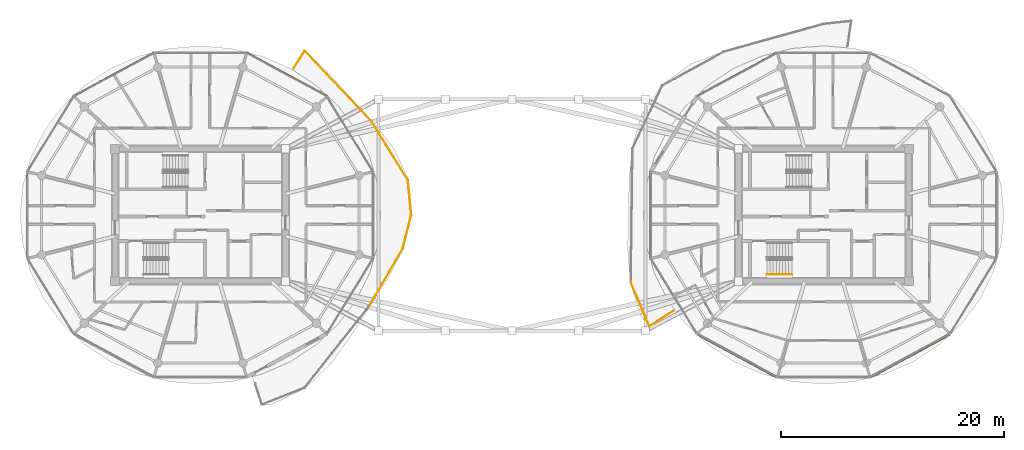
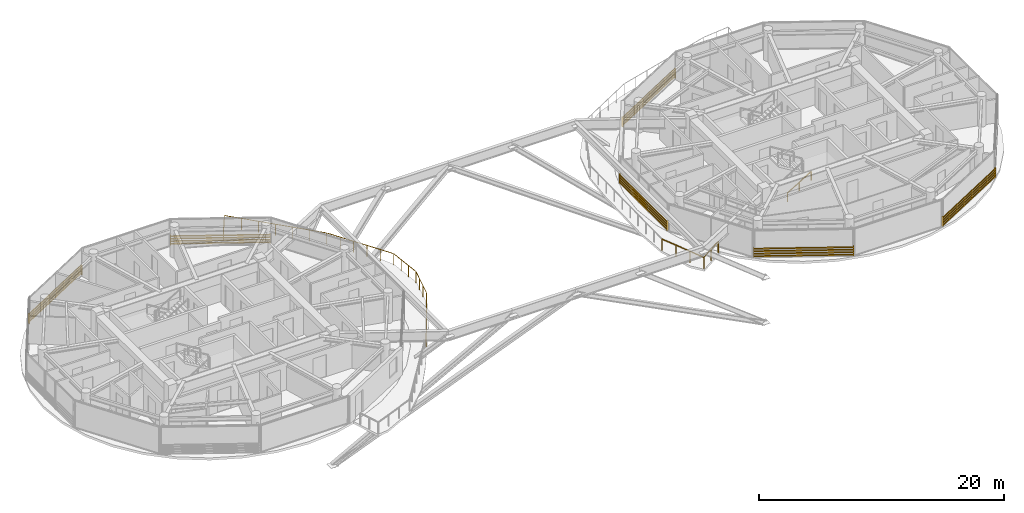
# One storey, part 21 of 23: 6 shading devices, 3 railings.
"""IFC4 building model written with IfcOpenShell, lengths in metres."""

from ifc_helpers import new_model, si_unit, direction, frame, origin, origin_2d, place, context, subcontext, project, spatial, rectangle, extrude, source, transform, mapped, material, type_object, type_shapes, element, save


model = new_model("IFC4")

# Units and contexts
model_context = context("Model", 3, precision=1e-05, world=origin(), true_north=direction((0.0, 1.0)))
body_context = subcontext(model_context, "Body", "Model", "MODEL_VIEW")
ifc_project = project(units=[si_unit("LENGTHUNIT", "METRE"), si_unit("AREAUNIT", "SQUARE_METRE"), si_unit("VOLUMEUNIT", "CUBIC_METRE"), si_unit("PLANEANGLEUNIT", "RADIAN"), si_unit("MASSUNIT", "GRAM", prefix="KILO")], contexts=[model_context])

# Site, building, storey
site_placement = place(None, origin())
site = spatial("IfcSite", under=ifc_project, at=site_placement, CompositionType="ELEMENT")
building_placement = place(site_placement, origin())
building = spatial("IfcBuilding", under=site, at=building_placement, Name="Norrkilde Senior Care Towers", CompositionType="ELEMENT")
storey_placement = place(building_placement, frame((0.0, 0.0, 196.75)))
storey = spatial("IfcBuildingStorey", under=building, at=storey_placement, Name="L61", CompositionType="ELEMENT", Elevation=196.75)

# Railings
ifc_material_1 = material(Name="Anodised Aluminium", Category="aluminium")
railing_type_1 = type_object("IfcRailingType", Name="Balcony Swirl Ribbon Guardrail 1150", PredefinedType="GUARDRAIL", material=ifc_material_1)
railing_1_placement = place(storey_placement, frame((14.494873046875, -8.603759765625, 0.0)))
element("IfcRailing", 1, at=railing_1_placement, inside=storey, type_object=railing_type_1, Name="L61 Perimeter Safety Guard 02", PredefinedType="GUARDRAIL", context=body_context, shape_type="SweptSolid", body=[
    extrude(rectangle(XDim=0.048095703125, YDim=0.048095703125, at=origin_2d()), frame((0.0, 0.0, 1.1259765625), z_axis=(-0.840707841932, -0.541488988358, 0.0), x_axis=(0.541488988358, -0.840707841932, 0.0)), (0.0, 0.0, 1.0), 2.522705078125),
    extrude(rectangle(XDim=0.048095703125, YDim=0.048095703125, at=origin_2d()), frame((-2.171142578125, -1.3505859375, 1.1259765625), z_axis=(-0.387155217744, 0.922014553776, 0.0), x_axis=(-0.922014553776, -0.387155217744, 0.0)), (0.0, 0.0, 1.0), 4.256591796875),
    extrude(rectangle(XDim=0.0419921875, YDim=0.0419921875, at=origin_2d()), origin(), (0.0, 0.0, 1.0), 1.099853515625),
    extrude(rectangle(XDim=0.0419921875, YDim=0.0419921875, at=origin_2d()), frame((-1.07763671875, -0.694091796875, 0.0)), (0.0, 0.0, 1.0), 1.099853515625),
    extrude(rectangle(XDim=0.0419921875, YDim=0.0419921875, at=origin_2d()), frame((-2.1552734375, -1.38818359375, 0.0)), (0.0, 0.0, 1.0), 1.099853515625),
    extrude(rectangle(XDim=0.0419921875, YDim=0.0419921875, at=origin_2d()), frame((-2.7099609375, -0.0673828125, 0.0)), (0.0, 0.0, 1.0), 1.099853515625),
    extrude(rectangle(XDim=0.0419921875, YDim=0.0419921875, at=origin_2d()), frame((-3.264404296875, 1.25341796875, 0.0)), (0.0, 0.0, 1.0), 1.099853515625),
    extrude(rectangle(XDim=0.0419921875, YDim=0.0419921875, at=origin_2d()), frame((-3.819091796875, 2.57421875, 0.0)), (0.0, 0.0, 1.0), 1.099853515625),
])
railing_2_placement = place(storey_placement, frame((-19.608154296875, 13.187255859375, 0.0)))
element("IfcRailing", 2, at=railing_2_placement, inside=storey, type_object=railing_type_1, Name="L61 Perimeter Safety Guard 04", PredefinedType="GUARDRAIL", context=body_context, shape_type="SweptSolid", body=[
    extrude(rectangle(XDim=0.048095703125, YDim=0.048095703125, at=origin_2d()), frame((0.0, 0.0, 1.1259765625), z_axis=(0.532614880893, 0.846357719083, 0.0), x_axis=(-0.846357719083, 0.532614880893, 0.0)), (0.0, 0.0, 1.0), 1.819580078125),
    extrude(rectangle(XDim=0.048095703125, YDim=0.048095703125, at=origin_2d()), frame((1.01904296875, 1.544921875, 1.1259765625), z_axis=(0.687885750318, -0.725818981916, 0.0), x_axis=(0.725818981916, 0.687885750318, 0.0)), (0.0, 0.0, 1.0), 8.65185546875),
    extrude(rectangle(XDim=0.048095703125, YDim=0.048095703125, at=origin_2d()), frame((7.020263671875, -4.79931640625, 1.1259765625), z_axis=(0.524863057715, -0.851186683781, 0.0), x_axis=(0.851186683781, 0.524863057715, 0.0)), (0.0, 0.0, 1.0), 6.125732421875),
    extrude(rectangle(XDim=0.048095703125, YDim=0.048095703125, at=origin_2d()), frame((10.2607421875, -10.0888671875, 1.1259765625), z_axis=(0.096331631185, -0.995349293883, 0.0), x_axis=(0.995349293883, 0.096331631185, 0.0)), (0.0, 0.0, 1.0), 3.06591796875),
    extrude(rectangle(XDim=0.048095703125, YDim=0.048095703125, at=origin_2d()), frame((10.550048828125, -13.220703125, 1.1259765625), z_axis=(-0.246350588681, -0.969180781618, 0.0), x_axis=(0.969180781618, -0.246350588681, 0.0)), (0.0, 0.0, 1.0), 3.063720703125),
    extrude(rectangle(XDim=0.048095703125, YDim=0.048095703125, at=origin_2d()), frame((9.764404296875, -16.264892578125, 1.1259765625), z_axis=(-0.505597386826, -0.862769541903, 0.0), x_axis=(0.862769541903, -0.505597386826, 0.0)), (0.0, 0.0, 1.0), 6.013916015625),
    extrude(rectangle(XDim=0.0419921875, YDim=0.0419921875, at=origin_2d()), origin(), (0.0, 0.0, 1.0), 1.099853515625),
    extrude(rectangle(XDim=0.0419921875, YDim=0.0419921875, at=origin_2d()), frame((0.49560546875, 0.787353515625, 0.0)), (0.0, 0.0, 1.0), 1.099853515625),
    extrude(rectangle(XDim=0.0419921875, YDim=0.0419921875, at=origin_2d()), frame((0.990966796875, 1.57470703125, 0.0)), (0.0, 0.0, 1.0), 1.099853515625),
    extrude(rectangle(XDim=0.0419921875, YDim=0.0419921875, at=origin_2d()), frame((1.9921875, 0.51806640625, 0.0)), (0.0, 0.0, 1.0), 1.099853515625),
    extrude(rectangle(XDim=0.0419921875, YDim=0.0419921875, at=origin_2d()), frame((2.99365234375, -0.538330078125, 0.0)), (0.0, 0.0, 1.0), 1.099853515625),
    extrude(rectangle(XDim=0.0419921875, YDim=0.0419921875, at=origin_2d()), frame((3.994873046875, -1.5947265625, 0.0)), (0.0, 0.0, 1.0), 1.099853515625),
    extrude(rectangle(XDim=0.0419921875, YDim=0.0419921875, at=origin_2d()), frame((4.99609375, -2.6513671875, 0.0)), (0.0, 0.0, 1.0), 1.099853515625),
    extrude(rectangle(XDim=0.0419921875, YDim=0.0419921875, at=origin_2d()), frame((5.99755859375, -3.7080078125, 0.0)), (0.0, 0.0, 1.0), 1.099853515625),
    extrude(rectangle(XDim=0.0419921875, YDim=0.0419921875, at=origin_2d()), frame((6.998779296875, -4.764404296875, 0.0)), (0.0, 0.0, 1.0), 1.099853515625),
    extrude(rectangle(XDim=0.0419921875, YDim=0.0419921875, at=origin_2d()), frame((7.650390625, -5.821044921875, 0.0)), (0.0, 0.0, 1.0), 1.099853515625),
    extrude(rectangle(XDim=0.0419921875, YDim=0.0419921875, at=origin_2d()), frame((8.302001953125, -6.8779296875, 0.0)), (0.0, 0.0, 1.0), 1.099853515625),
    extrude(rectangle(XDim=0.0419921875, YDim=0.0419921875, at=origin_2d()), frame((8.95361328125, -7.9345703125, 0.0)), (0.0, 0.0, 1.0), 1.099853515625),
    extrude(rectangle(XDim=0.0419921875, YDim=0.0419921875, at=origin_2d()), frame((9.605224609375, -8.991455078125, 0.0)), (0.0, 0.0, 1.0), 1.099853515625),
    extrude(rectangle(XDim=0.0419921875, YDim=0.0419921875, at=origin_2d()), frame((10.2568359375, -10.048095703125, 0.0)), (0.0, 0.0, 1.0), 1.099853515625),
    extrude(rectangle(XDim=0.0419921875, YDim=0.0419921875, at=origin_2d()), frame((10.35791015625, -11.092529296875, 0.0)), (0.0, 0.0, 1.0), 1.099853515625),
    extrude(rectangle(XDim=0.0419921875, YDim=0.0419921875, at=origin_2d()), frame((10.458984375, -12.13671875, 0.0)), (0.0, 0.0, 1.0), 1.099853515625),
    extrude(rectangle(XDim=0.0419921875, YDim=0.0419921875, at=origin_2d()), frame((10.56005859375, -13.18115234375, 0.0)), (0.0, 0.0, 1.0), 1.099853515625),
    extrude(rectangle(XDim=0.0419921875, YDim=0.0419921875, at=origin_2d()), frame((10.3017578125, -14.197265625, 0.0)), (0.0, 0.0, 1.0), 1.099853515625),
    extrude(rectangle(XDim=0.0419921875, YDim=0.0419921875, at=origin_2d()), frame((10.04345703125, -15.213623046875, 0.0)), (0.0, 0.0, 1.0), 1.099853515625),
    extrude(rectangle(XDim=0.0419921875, YDim=0.0419921875, at=origin_2d()), frame((9.78515625, -16.229736328125, 0.0)), (0.0, 0.0, 1.0), 1.099853515625),
    extrude(rectangle(XDim=0.0419921875, YDim=0.0419921875, at=origin_2d()), frame((9.1728515625, -17.2744140625, 0.0)), (0.0, 0.0, 1.0), 1.099853515625),
    extrude(rectangle(XDim=0.0419921875, YDim=0.0419921875, at=origin_2d()), frame((8.560546875, -18.3193359375, 0.0)), (0.0, 0.0, 1.0), 1.099853515625),
    extrude(rectangle(XDim=0.0419921875, YDim=0.0419921875, at=origin_2d()), frame((7.948486328125, -19.364013671875, 0.0)), (0.0, 0.0, 1.0), 1.099853515625),
    extrude(rectangle(XDim=0.0419921875, YDim=0.0419921875, at=origin_2d()), frame((7.336181640625, -20.408935546875, 0.0)), (0.0, 0.0, 1.0), 1.099853515625),
    extrude(rectangle(XDim=0.0419921875, YDim=0.0419921875, at=origin_2d()), frame((6.723876953125, -21.45361328125, 0.0)), (0.0, 0.0, 1.0), 1.099853515625),
])
ifc_material_2 = material(Name="Nordic Ash Timber", Category="wood")
railing_type_2 = type_object("IfcRailingType", Name="Wall and Stair Handrail 900", PredefinedType="HANDRAIL", material=ifc_material_2)
railing_3_placement = place(storey_placement, frame((22.89990234375, -5.35009765625, 0.16943359375)))
element("IfcRailing", 3, at=railing_3_placement, inside=storey, type_object=railing_type_2, Name="L61 ST-E2 stair handrail 1", PredefinedType="HANDRAIL", context=body_context, shape_type="SweptSolid", body=[
    extrude(rectangle(XDim=0.048095703125, YDim=0.048095703125, at=origin_2d()), frame((0.0, 0.0, 0.8759765625), z_axis=(0.855553338991, 0.0, 0.51771467445), x_axis=(0.0, 1.0, 0.0)), (0.0, 0.0, 1.0), 2.6181640625),
    extrude(rectangle(XDim=0.0419921875, YDim=0.0419921875, at=origin_2d()), origin(), (0.0, 0.0, 1.0), 0.849853515625),
    extrude(rectangle(XDim=0.0419921875, YDim=0.0419921875, at=origin_2d()), frame((1.1201171875, 0.0, 0.677734375)), (0.0, 0.0, 1.0), 0.849853515625),
    extrude(rectangle(XDim=0.0419921875, YDim=0.0419921875, at=origin_2d()), frame((2.239990234375, 0.0, 1.35546875)), (0.0, 0.0, 1.0), 0.849853515625),
])

# Shading devices
ifc_material_3 = material(Name="Architectural Terracotta", Category="masonry")
shading_device_type = type_object("IfcShadingDeviceType", Name="Horizontal Terracotta Baguette Rack", PredefinedType="USERDEFINED", material=ifc_material_3)
shared_shape_1 = source(origin(), body_context, "Body", "SweptSolid", [
    extrude(rectangle(XDim=0.070068359375, YDim=0.110107421875, at=origin_2d()), frame((0.0, 0.090087890625, 0.125), z_axis=(1.0, 0.0, 0.0), x_axis=(0.0, 1.0, 0.0)), (0.0, 0.0, 1.0), 8.197265625),
    extrude(rectangle(XDim=0.070068359375, YDim=0.110107421875, at=origin_2d()), frame((0.0, 0.090087890625, 0.375), z_axis=(1.0, 0.0, 0.0), x_axis=(0.0, 1.0, 0.0)), (0.0, 0.0, 1.0), 8.197265625),
    extrude(rectangle(XDim=0.070068359375, YDim=0.110107421875, at=origin_2d()), frame((0.0, 0.090087890625, 0.625), z_axis=(1.0, 0.0, 0.0), x_axis=(0.0, 1.0, 0.0)), (0.0, 0.0, 1.0), 8.197265625),
    extrude(rectangle(XDim=0.070068359375, YDim=0.110107421875, at=origin_2d()), frame((0.0, 0.090087890625, 0.875), z_axis=(1.0, 0.0, 0.0), x_axis=(0.0, 1.0, 0.0)), (0.0, 0.0, 1.0), 8.197265625),
    extrude(rectangle(XDim=0.050048828125, YDim=0.1552734375, at=origin_2d()), frame((0.02490234375, 0.047607421875, 0.0)), (0.0, 0.0, 1.0), 1.0),
    extrude(rectangle(XDim=0.050048828125, YDim=0.1552734375, at=origin_2d()), frame((8.17236328125, 0.047607421875, 0.0)), (0.0, 0.0, 1.0), 1.0),
])
for number, where, z_axis, x_axis, name in (
    (4, (-23.838134765625, 14.566162109375, 0.080078125), (0.0, 0.0, 1.0), (0.879378127234, -0.476143674053, 0.0), "L61 Drum W Terracotta Baguette Screen 01"),
    (5, (-39.370361328125, 10.6630859375, 0.080078125), (0.0, 0.0, 1.0), (0.879378127234, 0.476143674053, 0.0), "L61 Drum W Terracotta Baguette Screen 03"),
    (6, (16.629638671875, 10.6630859375, 0.080078125), (0.0, 0.0, 1.0), (0.879378127234, 0.476143674053, 0.0), "L61 Drum E Terracotta Baguette Screen 03"),
    (7, (23.838134765625, -14.566162109375, 0.080078125), (0.0, 0.0, 1.0), (-0.879378127234, 0.476143674053, 0.0), "L61 Drum E Terracotta Baguette Screen 07"),
    (8, (39.370361328125, -10.6630859375, 0.080078125), (0.0, 0.0, 1.0), (-0.879378127234, -0.476143674053, 0.0), "L61 Drum E Terracotta Baguette Screen 09"),
):
    element("IfcShadingDevice", number, at=place(storey_placement, frame(where, z_axis=z_axis, x_axis=x_axis)), inside=storey, type_object=shading_device_type, Name=name, ObjectType="BAGUETTE", PredefinedType="USERDEFINED", context=body_context, shape_type="MappedRepresentation", body=[
        mapped(shared_shape_1, transform((0.0, 0.0, 0.0), x_axis=(1.0, 0.0, 0.0), y_axis=(0.0, 1.0, 0.0), z_axis=(0.0, 0.0, 1.0), scale=1.0)),
    ])
shared_shape_2 = source(origin(), body_context, "Body", "SweptSolid", [
    extrude(rectangle(XDim=0.070068359375, YDim=0.110107421875, at=origin_2d()), frame((0.0, 0.090087890625, 0.125), z_axis=(1.0, 0.0, 0.0), x_axis=(0.0, 1.0, 0.0)), (0.0, 0.0, 1.0), 7.80615234375),
    extrude(rectangle(XDim=0.070068359375, YDim=0.110107421875, at=origin_2d()), frame((0.0, 0.090087890625, 0.375), z_axis=(1.0, 0.0, 0.0), x_axis=(0.0, 1.0, 0.0)), (0.0, 0.0, 1.0), 7.80615234375),
    extrude(rectangle(XDim=0.070068359375, YDim=0.110107421875, at=origin_2d()), frame((0.0, 0.090087890625, 0.625), z_axis=(1.0, 0.0, 0.0), x_axis=(0.0, 1.0, 0.0)), (0.0, 0.0, 1.0), 7.80615234375),
    extrude(rectangle(XDim=0.070068359375, YDim=0.110107421875, at=origin_2d()), frame((0.0, 0.090087890625, 0.875), z_axis=(1.0, 0.0, 0.0), x_axis=(0.0, 1.0, 0.0)), (0.0, 0.0, 1.0), 7.80615234375),
    extrude(rectangle(XDim=0.050048828125, YDim=0.1552734375, at=origin_2d()), frame((0.02490234375, 0.047607421875, 0.0)), (0.0, 0.0, 1.0), 1.0),
    extrude(rectangle(XDim=0.050048828125, YDim=0.1552734375, at=origin_2d()), frame((7.78125, 0.047607421875, 0.0)), (0.0, 0.0, 1.0), 1.0),
])
type_shapes(shading_device_type, [shared_shape_1, shared_shape_2])
shading_device_placement = place(storey_placement, frame((12.468017578125, -3.903076171875, 0.080078125), z_axis=(0.0, 0.0, 1.0), x_axis=(0.0, 1.0, 0.0)))
element("IfcShadingDevice", 9, at=shading_device_placement, inside=storey, type_object=shading_device_type, Name="L61 Drum E Terracotta Baguette Screen 05", ObjectType="BAGUETTE", PredefinedType="USERDEFINED", context=body_context, shape_type="MappedRepresentation", body=[
    mapped(shared_shape_2, transform((0.0, 0.0, 0.0), x_axis=(1.0, 0.0, 0.0), y_axis=(0.0, 1.0, 0.0), z_axis=(0.0, 0.0, 1.0), scale=1.0)),
])

save(model, "model.ifc")
